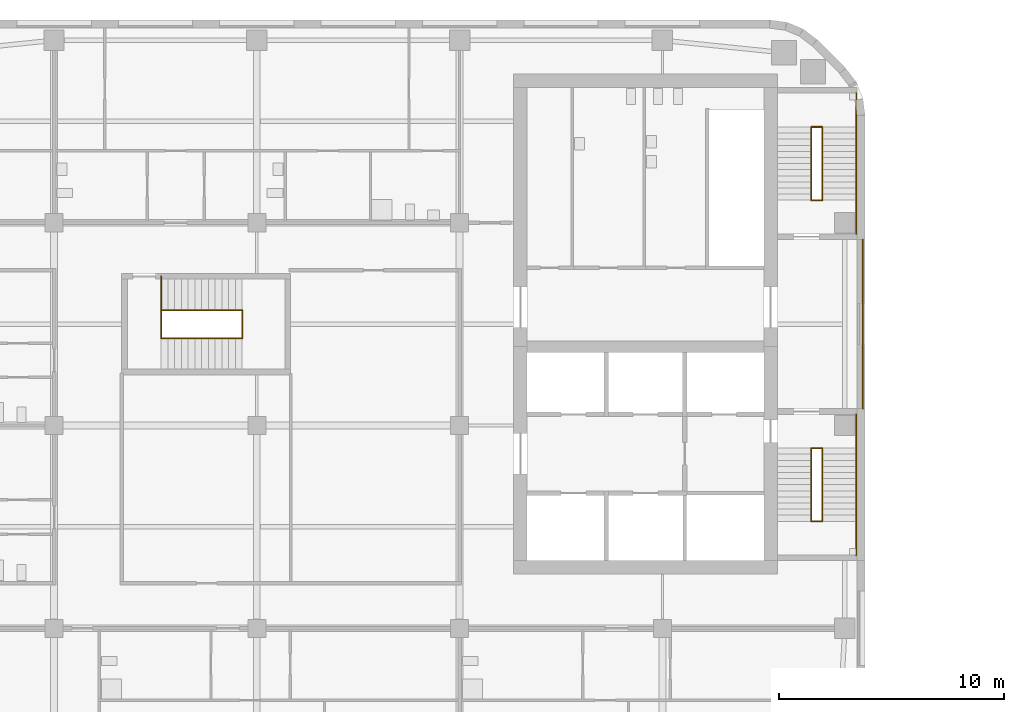
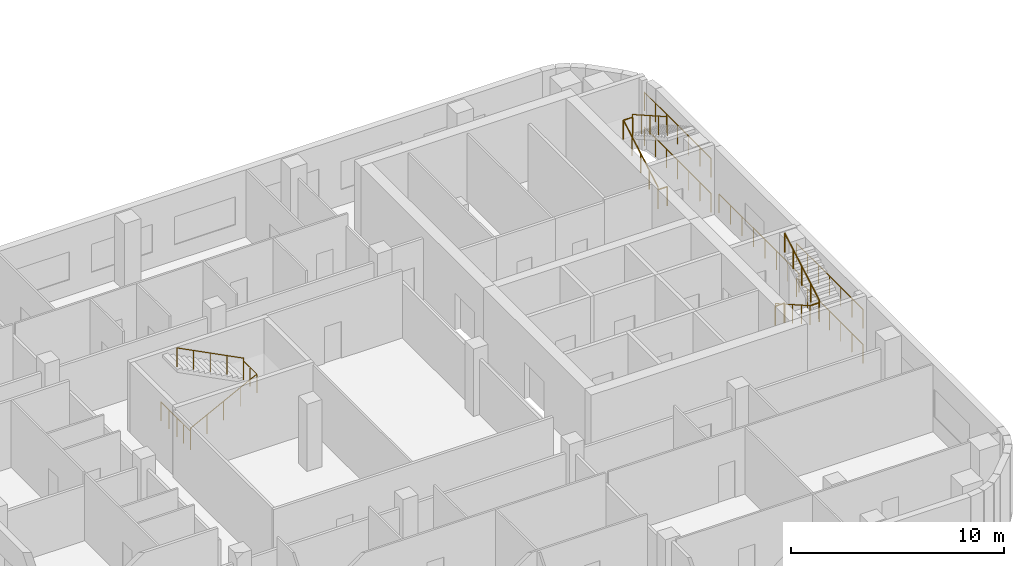
# One storey, part 14 of 16: 18 railings.
"""IFC4 building model written with IfcOpenShell, lengths in metres."""

from ifc_helpers import new_model, si_unit, direction, frame, origin, origin_2d, place, context, subcontext, project, spatial, circle, extrude, material, type_object, element, save


model = new_model("IFC4")

# Units and contexts
model_context = context("Model", 3, precision=1e-05, world=origin(), true_north=direction((0.0, 1.0)))
body_context = subcontext(model_context, "Body", "Model", "MODEL_VIEW")
ifc_project = project(units=[si_unit("LENGTHUNIT", "METRE"), si_unit("AREAUNIT", "SQUARE_METRE"), si_unit("VOLUMEUNIT", "CUBIC_METRE"), si_unit("PLANEANGLEUNIT", "RADIAN"), si_unit("MASSUNIT", "GRAM", prefix="KILO")], contexts=[model_context])

# Site, building, storey
site_placement = place(None, origin())
site = spatial("IfcSite", under=ifc_project, at=site_placement, CompositionType="ELEMENT")
building_placement = place(site_placement, origin())
building = spatial("IfcBuilding", under=site, at=building_placement, Name="Cinnabar Reach Civic Tower", CompositionType="ELEMENT")
storey_placement = place(building_placement, frame((0.0, 0.0, 34.0)))
storey = spatial("IfcBuildingStorey", under=building, at=storey_placement, Name="L07", CompositionType="ELEMENT", Elevation=34.0)

# Railings
ifc_material = material(Name="Stainless steel", Category="steel")
railing_type = type_object("IfcRailingType", Name="T2 Stair guard 1100", PredefinedType="GUARDRAIL", material=ifc_material)
railing_1_placement = place(storey_placement, frame((-27.1, 27.75, 0.0)))
element("IfcRailing", 1, at=railing_1_placement, inside=storey, type_object=railing_type, Name="Corridor end guard", PredefinedType="GUARDRAIL", context=body_context, shape_type="SweptSolid", body=[
    extrude(circle(Radius=0.024, at=origin_2d()), frame((0.0, 0.0, 1.076), z_axis=(0.0, 1.0, 0.0), x_axis=(-1.0, 0.0, 0.0)), (0.0, 0.0, 1.0), 7.5),
    extrude(circle(Radius=0.021, at=origin_2d()), origin(), (0.0, 0.0, 1.0), 1.052),
    extrude(circle(Radius=0.021, at=origin_2d()), frame((0.0, 1.0714, 0.0)), (0.0, 0.0, 1.0), 1.052),
    extrude(circle(Radius=0.021, at=origin_2d()), frame((0.0, 2.1429, 0.0)), (0.0, 0.0, 1.0), 1.052),
    extrude(circle(Radius=0.021, at=origin_2d()), frame((0.0, 3.2143, 0.0)), (0.0, 0.0, 1.0), 1.052),
    extrude(circle(Radius=0.021, at=origin_2d()), frame((0.0, 4.2857, 0.0)), (0.0, 0.0, 1.0), 1.052),
    extrude(circle(Radius=0.021, at=origin_2d()), frame((0.0, 5.3571, 0.0)), (0.0, 0.0, 1.0), 1.052),
    extrude(circle(Radius=0.021, at=origin_2d()), frame((0.0, 6.4286, 0.0)), (0.0, 0.0, 1.0), 1.052),
    extrude(circle(Radius=0.021, at=origin_2d()), frame((0.0, 7.5, 0.0)), (0.0, 0.0, 1.0), 1.052),
])
for number, where, name in (
    (2, (-27.4, 21.25, 0.0), "Stair guard 1"),
    (3, (-27.4, 21.25, 2.0), "Stair guard 1"),
):
    element("IfcRailing", number, at=place(storey_placement, frame(where)), inside=storey, type_object=railing_type, Name=name, PredefinedType="GUARDRAIL", context=body_context, shape_type="SweptSolid", body=[
        extrude(circle(Radius=0.024, at=origin_2d()), frame((0.0, 0.0, 1.076), z_axis=(0.0, 1.0, 0.0), x_axis=(-1.0, 0.0, 0.0)), (0.0, 0.0, 1.0), 6.25),
        extrude(circle(Radius=0.021, at=origin_2d()), origin(), (0.0, 0.0, 1.0), 1.052),
        extrude(circle(Radius=0.021, at=origin_2d()), frame((0.0, 1.0417, 0.0)), (0.0, 0.0, 1.0), 1.052),
        extrude(circle(Radius=0.021, at=origin_2d()), frame((0.0, 2.0833, 0.0)), (0.0, 0.0, 1.0), 1.052),
        extrude(circle(Radius=0.021, at=origin_2d()), frame((0.0, 3.125, 0.0)), (0.0, 0.0, 1.0), 1.052),
        extrude(circle(Radius=0.021, at=origin_2d()), frame((0.0, 4.1667, 0.0)), (0.0, 0.0, 1.0), 1.052),
        extrude(circle(Radius=0.021, at=origin_2d()), frame((0.0, 5.2083, 0.0)), (0.0, 0.0, 1.0), 1.052),
        extrude(circle(Radius=0.021, at=origin_2d()), frame((0.0, 6.25, 0.0)), (0.0, 0.0, 1.0), 1.052),
    ])
for number, where, name in (
    (4, (-29.4, 26.0, 0.0), "Stair guard 1"),
    (5, (-29.4, 22.75, 2.0), "Stair guard 1"),
):
    element("IfcRailing", number, at=place(storey_placement, frame(where)), inside=storey, type_object=railing_type, Name=name, PredefinedType="GUARDRAIL", context=body_context, shape_type="SweptSolid", body=[
        extrude(circle(Radius=0.024, at=origin_2d()), frame((0.0, 0.0, 1.076), z_axis=(1.0, 0.0, 0.0), x_axis=(0.0, 1.0, 0.0)), (0.0, 0.0, 1.0), 0.5),
        extrude(circle(Radius=0.021, at=origin_2d()), origin(), (0.0, 0.0, 1.0), 1.052),
        extrude(circle(Radius=0.021, at=origin_2d()), frame((0.5, 0.0, 0.0)), (0.0, 0.0, 1.0), 1.052),
    ])
railing_2_placement = place(storey_placement, frame((-29.4, 26.0, 0.1538)))
element("IfcRailing", 6, at=railing_2_placement, inside=storey, type_object=railing_type, Name="Stair guard 1", PredefinedType="GUARDRAIL", context=body_context, shape_type="SweptSolid", body=[
    extrude(circle(Radius=0.024, at=origin_2d()), frame((0.0, 0.0, 1.076), z_axis=(0.0, -0.869501474428, 0.493930345258), x_axis=(1.0, 0.0, 0.0)), (0.0, 0.0, 1.0), 3.7378),
    extrude(circle(Radius=0.021, at=origin_2d()), origin(), (0.0, 0.0, 1.0), 1.052),
    extrude(circle(Radius=0.021, at=origin_2d()), frame((0.0, -0.8125, 0.4616)), (0.0, 0.0, 1.0), 1.052),
    extrude(circle(Radius=0.021, at=origin_2d()), frame((0.0, -1.625, 0.9231)), (0.0, 0.0, 1.0), 1.052),
    extrude(circle(Radius=0.021, at=origin_2d()), frame((0.0, -2.4375, 1.3847)), (0.0, 0.0, 1.0), 1.052),
    extrude(circle(Radius=0.021, at=origin_2d()), frame((0.0, -3.25, 1.8462)), (0.0, 0.0, 1.0), 1.052),
])
railing_3_placement = place(storey_placement, frame((-28.9, 22.75, 2.1538)))
element("IfcRailing", 7, at=railing_3_placement, inside=storey, type_object=railing_type, Name="Stair guard 1", PredefinedType="GUARDRAIL", context=body_context, shape_type="SweptSolid", body=[
    extrude(circle(Radius=0.024, at=origin_2d()), frame((0.0, 0.0, 1.076), z_axis=(0.0, 0.869501474428, 0.493930345258), x_axis=(-1.0, 0.0, 0.0)), (0.0, 0.0, 1.0), 3.7378),
    extrude(circle(Radius=0.021, at=origin_2d()), origin(), (0.0, 0.0, 1.0), 1.052),
    extrude(circle(Radius=0.021, at=origin_2d()), frame((0.0, 0.8125, 0.4616)), (0.0, 0.0, 1.0), 1.052),
    extrude(circle(Radius=0.021, at=origin_2d()), frame((0.0, 1.625, 0.9231)), (0.0, 0.0, 1.0), 1.052),
    extrude(circle(Radius=0.021, at=origin_2d()), frame((0.0, 2.4375, 1.3847)), (0.0, 0.0, 1.0), 1.052),
    extrude(circle(Radius=0.021, at=origin_2d()), frame((0.0, 3.25, 1.8462)), (0.0, 0.0, 1.0), 1.052),
])
for number, where, name in (
    (8, (-27.4, 35.5, 0.0), "Stair guard 2"),
    (9, (-27.4, 35.5, 2.0), "Stair guard 2"),
):
    element("IfcRailing", number, at=place(storey_placement, frame(where)), inside=storey, type_object=railing_type, Name=name, PredefinedType="GUARDRAIL", context=body_context, shape_type="SweptSolid", body=[
        extrude(circle(Radius=0.024, at=origin_2d()), frame((0.0, 0.0, 1.076), z_axis=(0.0, 1.0, 0.0), x_axis=(-1.0, 0.0, 0.0)), (0.0, 0.0, 1.0), 6.25),
        extrude(circle(Radius=0.021, at=origin_2d()), origin(), (0.0, 0.0, 1.0), 1.052),
        extrude(circle(Radius=0.021, at=origin_2d()), frame((0.0, 1.0417, 0.0)), (0.0, 0.0, 1.0), 1.052),
        extrude(circle(Radius=0.021, at=origin_2d()), frame((0.0, 2.0833, 0.0)), (0.0, 0.0, 1.0), 1.052),
        extrude(circle(Radius=0.021, at=origin_2d()), frame((0.0, 3.125, 0.0)), (0.0, 0.0, 1.0), 1.052),
        extrude(circle(Radius=0.021, at=origin_2d()), frame((0.0, 4.1667, 0.0)), (0.0, 0.0, 1.0), 1.052),
        extrude(circle(Radius=0.021, at=origin_2d()), frame((0.0, 5.2083, 0.0)), (0.0, 0.0, 1.0), 1.052),
        extrude(circle(Radius=0.021, at=origin_2d()), frame((0.0, 6.25, 0.0)), (0.0, 0.0, 1.0), 1.052),
    ])
for number, where, name in (
    (10, (-29.4, 37.0, 0.0), "Stair guard 2"),
    (11, (-29.4, 40.25, 2.0), "Stair guard 2"),
):
    element("IfcRailing", number, at=place(storey_placement, frame(where)), inside=storey, type_object=railing_type, Name=name, PredefinedType="GUARDRAIL", context=body_context, shape_type="SweptSolid", body=[
        extrude(circle(Radius=0.024, at=origin_2d()), frame((0.0, 0.0, 1.076), z_axis=(1.0, 0.0, 0.0), x_axis=(0.0, 1.0, 0.0)), (0.0, 0.0, 1.0), 0.5),
        extrude(circle(Radius=0.021, at=origin_2d()), origin(), (0.0, 0.0, 1.0), 1.052),
        extrude(circle(Radius=0.021, at=origin_2d()), frame((0.5, 0.0, 0.0)), (0.0, 0.0, 1.0), 1.052),
    ])
railing_4_placement = place(storey_placement, frame((-29.4, 37.0, 0.1538)))
element("IfcRailing", 12, at=railing_4_placement, inside=storey, type_object=railing_type, Name="Stair guard 2", PredefinedType="GUARDRAIL", context=body_context, shape_type="SweptSolid", body=[
    extrude(circle(Radius=0.024, at=origin_2d()), frame((0.0, 0.0, 1.076), z_axis=(0.0, 0.869501474428, 0.493930345258), x_axis=(-1.0, 0.0, 0.0)), (0.0, 0.0, 1.0), 3.7378),
    extrude(circle(Radius=0.021, at=origin_2d()), origin(), (0.0, 0.0, 1.0), 1.052),
    extrude(circle(Radius=0.021, at=origin_2d()), frame((0.0, 0.8125, 0.4616)), (0.0, 0.0, 1.0), 1.052),
    extrude(circle(Radius=0.021, at=origin_2d()), frame((0.0, 1.625, 0.9231)), (0.0, 0.0, 1.0), 1.052),
    extrude(circle(Radius=0.021, at=origin_2d()), frame((0.0, 2.4375, 1.3847)), (0.0, 0.0, 1.0), 1.052),
    extrude(circle(Radius=0.021, at=origin_2d()), frame((0.0, 3.25, 1.8462)), (0.0, 0.0, 1.0), 1.052),
])
railing_5_placement = place(storey_placement, frame((-28.9, 40.25, 2.1538)))
element("IfcRailing", 13, at=railing_5_placement, inside=storey, type_object=railing_type, Name="Stair guard 2", PredefinedType="GUARDRAIL", context=body_context, shape_type="SweptSolid", body=[
    extrude(circle(Radius=0.024, at=origin_2d()), frame((0.0, 0.0, 1.076), z_axis=(0.0, -0.869501474428, 0.493930345258), x_axis=(1.0, 0.0, 0.0)), (0.0, 0.0, 1.0), 3.7378),
    extrude(circle(Radius=0.021, at=origin_2d()), origin(), (0.0, 0.0, 1.0), 1.052),
    extrude(circle(Radius=0.021, at=origin_2d()), frame((0.0, -0.8125, 0.4616)), (0.0, 0.0, 1.0), 1.052),
    extrude(circle(Radius=0.021, at=origin_2d()), frame((0.0, -1.625, 0.9231)), (0.0, 0.0, 1.0), 1.052),
    extrude(circle(Radius=0.021, at=origin_2d()), frame((0.0, -2.4375, 1.3847)), (0.0, 0.0, 1.0), 1.052),
    extrude(circle(Radius=0.021, at=origin_2d()), frame((0.0, -3.25, 1.8462)), (0.0, 0.0, 1.0), 1.052),
])
railing_6_placement = place(storey_placement, frame((-58.25, 30.875, 0.0)))
element("IfcRailing", 14, at=railing_6_placement, inside=storey, type_object=railing_type, Name="Stair guard 3", PredefinedType="GUARDRAIL", context=body_context, shape_type="SweptSolid", body=[
    extrude(circle(Radius=0.024, at=origin_2d()), frame((0.0, 0.0, 1.076), z_axis=(0.0, 1.0, 0.0), x_axis=(-1.0, 0.0, 0.0)), (0.0, 0.0, 1.0), 1.25),
    extrude(circle(Radius=0.021, at=origin_2d()), origin(), (0.0, 0.0, 1.0), 1.052),
    extrude(circle(Radius=0.021, at=origin_2d()), frame((0.0, 0.625, 0.0)), (0.0, 0.0, 1.0), 1.052),
    extrude(circle(Radius=0.021, at=origin_2d()), frame((0.0, 1.25, 0.0)), (0.0, 0.0, 1.0), 1.052),
])
railing_7_placement = place(storey_placement, frame((-58.25, 32.125, 0.0)))
element("IfcRailing", 15, at=railing_7_placement, inside=storey, type_object=railing_type, Name="Stair guard 3", PredefinedType="GUARDRAIL", context=body_context, shape_type="SweptSolid", body=[
    extrude(circle(Radius=0.024, at=origin_2d()), frame((0.0, 0.0, 1.076), z_axis=(0.0, 1.0, 0.0), x_axis=(-1.0, 0.0, 0.0)), (0.0, 0.0, 1.0), 1.5),
    extrude(circle(Radius=0.021, at=origin_2d()), origin(), (0.0, 0.0, 1.0), 1.052),
    extrude(circle(Radius=0.021, at=origin_2d()), frame((0.0, 0.75, 0.0)), (0.0, 0.0, 1.0), 1.052),
    extrude(circle(Radius=0.021, at=origin_2d()), frame((0.0, 1.5, 0.0)), (0.0, 0.0, 1.0), 1.052),
])
railing_8_placement = place(storey_placement, frame((-54.65, 30.875, 2.0)))
element("IfcRailing", 16, at=railing_8_placement, inside=storey, type_object=railing_type, Name="Stair guard 3", PredefinedType="GUARDRAIL", context=body_context, shape_type="SweptSolid", body=[
    extrude(circle(Radius=0.024, at=origin_2d()), frame((0.0, 0.0, 1.076), z_axis=(0.0, 1.0, 0.0), x_axis=(-1.0, 0.0, 0.0)), (0.0, 0.0, 1.0), 1.25),
    extrude(circle(Radius=0.021, at=origin_2d()), origin(), (0.0, 0.0, 1.0), 1.052),
    extrude(circle(Radius=0.021, at=origin_2d()), frame((0.0, 0.625, 0.0)), (0.0, 0.0, 1.0), 1.052),
    extrude(circle(Radius=0.021, at=origin_2d()), frame((0.0, 1.25, 0.0)), (0.0, 0.0, 1.0), 1.052),
])
railing_9_placement = place(storey_placement, frame((-58.25, 30.875, 0.1538)))
element("IfcRailing", 17, at=railing_9_placement, inside=storey, type_object=railing_type, Name="Stair guard 3", PredefinedType="GUARDRAIL", context=body_context, shape_type="SweptSolid", body=[
    extrude(circle(Radius=0.024, at=origin_2d()), frame((0.0, 0.0, 1.076), z_axis=(0.889812830738, 0.0, 0.45632568003), x_axis=(0.0, 1.0, 0.0)), (0.0, 0.0, 1.0), 4.0458),
    extrude(circle(Radius=0.021, at=origin_2d()), origin(), (0.0, 0.0, 1.0), 1.052),
    extrude(circle(Radius=0.021, at=origin_2d()), frame((0.9, 0.0, 0.4616)), (0.0, 0.0, 1.0), 1.052),
    extrude(circle(Radius=0.021, at=origin_2d()), frame((1.8, 0.0, 0.9231)), (0.0, 0.0, 1.0), 1.052),
    extrude(circle(Radius=0.021, at=origin_2d()), frame((2.7, 0.0, 1.3847)), (0.0, 0.0, 1.0), 1.052),
    extrude(circle(Radius=0.021, at=origin_2d()), frame((3.6, 0.0, 1.8462)), (0.0, 0.0, 1.0), 1.052),
])
railing_10_placement = place(storey_placement, frame((-54.65, 32.125, 2.1538)))
element("IfcRailing", 18, at=railing_10_placement, inside=storey, type_object=railing_type, Name="Stair guard 3", PredefinedType="GUARDRAIL", context=body_context, shape_type="SweptSolid", body=[
    extrude(circle(Radius=0.024, at=origin_2d()), frame((0.0, 0.0, 1.076), z_axis=(-0.889812830738, 0.0, 0.45632568003), x_axis=(0.0, -1.0, 0.0)), (0.0, 0.0, 1.0), 4.0458),
    extrude(circle(Radius=0.021, at=origin_2d()), origin(), (0.0, 0.0, 1.0), 1.052),
    extrude(circle(Radius=0.021, at=origin_2d()), frame((-0.9, 0.0, 0.4616)), (0.0, 0.0, 1.0), 1.052),
    extrude(circle(Radius=0.021, at=origin_2d()), frame((-1.8, 0.0, 0.9231)), (0.0, 0.0, 1.0), 1.052),
    extrude(circle(Radius=0.021, at=origin_2d()), frame((-2.7, 0.0, 1.3847)), (0.0, 0.0, 1.0), 1.052),
    extrude(circle(Radius=0.021, at=origin_2d()), frame((-3.6, 0.0, 1.8462)), (0.0, 0.0, 1.0), 1.052),
])

save(model, "model.ifc")
